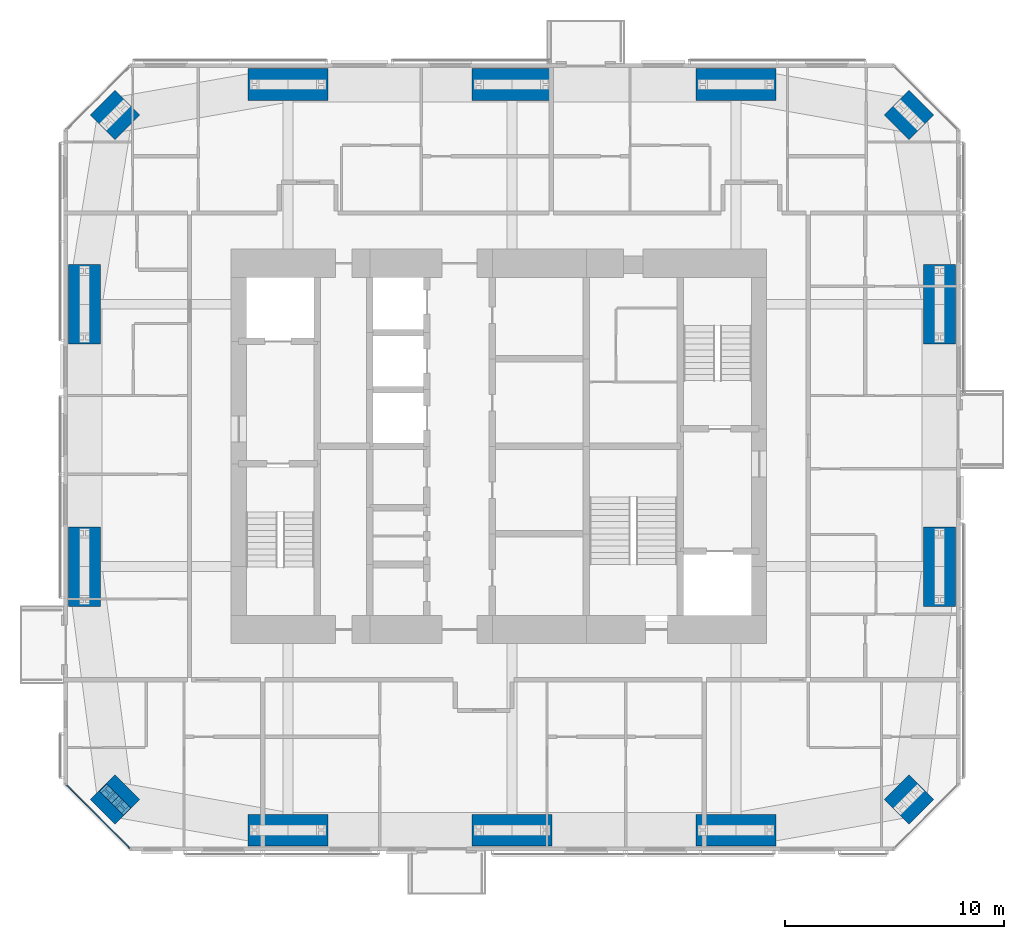
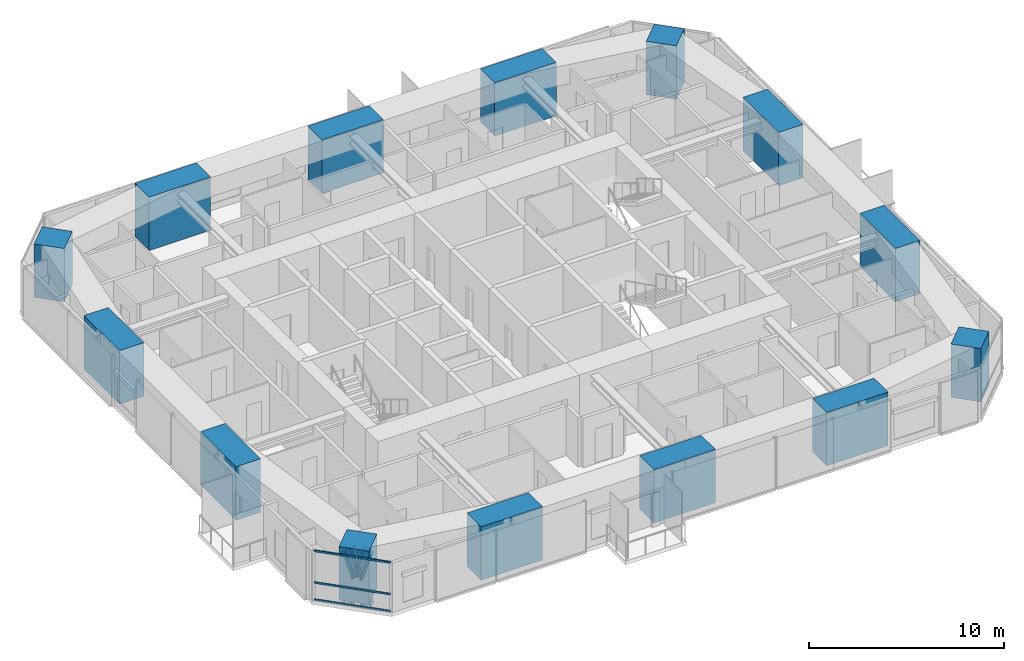
# One storey, part 1 of 23: 14 columns, 7 members, 1 element without a shape of its own.
"""IFC4 building model written with IfcOpenShell, lengths in metres."""

from ifc_helpers import new_model, si_unit, direction, frame, origin, origin_2d, place, context, subcontext, project, spatial, rectangle, i_section, extrude, material, material_profile, profile_set, type_object, element, aggregate, save


model = new_model("IFC4")

# Units and contexts
model_context = context("Model", 3, precision=1e-05, world=origin(), true_north=direction((0.0, 1.0)))
body_context = subcontext(model_context, "Body", "Model", "MODEL_VIEW")
ifc_project = project(units=[si_unit("LENGTHUNIT", "METRE"), si_unit("AREAUNIT", "SQUARE_METRE"), si_unit("VOLUMEUNIT", "CUBIC_METRE"), si_unit("PLANEANGLEUNIT", "RADIAN"), si_unit("MASSUNIT", "GRAM", prefix="KILO")], contexts=[model_context])

# Site, building, storey
site_placement = place(None, origin())
site = spatial("IfcSite", under=ifc_project, at=site_placement, CompositionType="ELEMENT")
building_placement = place(site_placement, origin())
building = spatial("IfcBuilding", under=site, at=building_placement, Name="Jalousie Tower", CompositionType="ELEMENT")
storey_placement = place(building_placement, frame((0.0, 0.0, 197.89990234375)))
storey = spatial("IfcBuildingStorey", under=building, at=storey_placement, Name="L54", CompositionType="ELEMENT", Elevation=197.89990234375)

# Columns
ifc_material_1 = material(Name="Concrete f'c 120 MPa", Category="concrete")
ifc_material_profile_1 = material_profile(ifc_material_1, rectangle(XDim=1.449951171875, YDim=3.64990234375, at=origin_2d()), Name="RC 1450x3650")
ifc_profile_set_1 = profile_set([ifc_material_profile_1], Name="Concrete f'c 120 MPa")
column_type_1 = type_object("IfcColumnType", Name="RC COLUMN 1450x3650", PredefinedType="COLUMN", material=ifc_profile_set_1)
for number, where, z_axis, x_axis, name in (
    (1, (22.25, 0.949951171875, 0.0), (0.0, 0.0, 1.0), (0.0, 1.0, 0.0), "Column 02 L54"),
    (2, (32.5, 0.949951171875, 0.0), (0.0, 0.0, 1.0), (0.0, 1.0, 0.0), "Column 03 L54"),
    (3, (42.75, 0.949951171875, 0.0), (0.0, 0.0, 1.0), (0.0, 1.0, 0.0), "Column 04 L54"),
    (4, (52.050048828125, 13.0, 0.0), (0.0, 0.0, 1.0), (1.0, 0.0, 0.0), "Column 06 L54"),
    (5, (52.050048828125, 25.0, 0.0), (0.0, 0.0, 1.0), (1.0, 0.0, 0.0), "Column 07 L54"),
    (6, (42.75, 35.050048828125, 0.0), (0.0, 0.0, 1.0), (0.0, 1.0, 0.0), "Column 09 L54"),
    (7, (32.5, 35.050048828125, 0.0), (0.0, 0.0, 1.0), (0.0, 1.0, 0.0), "Column 10 L54"),
    (8, (22.25, 35.050048828125, 0.0), (0.0, 0.0, 1.0), (0.0, 1.0, 0.0), "Column 11 L54"),
    (9, (12.949951171875, 25.0, 0.0), (0.0, 0.0, 1.0), (1.0, 0.0, 0.0), "Column 13 L54"),
    (10, (12.949951171875, 13.0, 0.0), (0.0, 0.0, 1.0), (1.0, 0.0, 0.0), "Column 14 L54"),
):
    element("IfcColumn", number, at=place(storey_placement, frame(where, z_axis=z_axis, x_axis=x_axis)), inside=storey, type_object=column_type_1, Name=name, PredefinedType="COLUMN", context=body_context, shape_type="SweptSolid", body=[
        extrude(rectangle(XDim=1.449951171875, YDim=3.64990234375, at=origin_2d()), origin(), (0.0, 0.0, 1.0), 3.35009765625),
    ])
ifc_material_2 = material(Name="Concrete f'c 120 MPa", Category="concrete")
ifc_material_profile_2 = material_profile(ifc_material_2, rectangle(XDim=1.60009765625, YDim=1.60009765625, at=origin_2d()), Name="RC 1600x1600")
ifc_profile_set_2 = profile_set([ifc_material_profile_2], Name="Concrete f'c 120 MPa")
column_type_2 = type_object("IfcColumnType", Name="RC COLUMN 1600x1600", PredefinedType="COLUMN", material=ifc_profile_set_2)
for number, where, z_axis, x_axis, name in (
    (11, (14.348388671875, 2.348388671875, 0.0), (0.0, 0.0, 1.0), (0.707106781187, 0.707106781187, 0.0), "Column 01 L54"),
    (12, (50.651611328125, 2.348388671875, 0.0), (0.0, 0.0, 1.0), (0.707106781187, 0.707106781187, 0.0), "Column 05 L54"),
    (13, (50.651611328125, 33.651611328125, 0.0), (0.0, 0.0, 1.0), (0.707106781187, 0.707106781187, 0.0), "Column 08 L54"),
    (14, (14.348388671875, 33.651611328125, 0.0), (0.0, 0.0, 1.0), (0.707106781187, 0.707106781187, 0.0), "Column 12 L54"),
):
    element("IfcColumn", number, at=place(storey_placement, frame(where, z_axis=z_axis, x_axis=x_axis)), inside=storey, type_object=column_type_2, Name=name, PredefinedType="COLUMN", context=body_context, shape_type="SweptSolid", body=[
        extrude(rectangle(XDim=1.60009765625, YDim=1.60009765625, at=origin_2d()), origin(), (0.0, 0.0, 1.0), 3.35009765625),
    ])

# Curtain wall, members
ifc_material_3 = material(Name="Aluminium curtain wall", Category="aluminium")
curtain_wall_type = type_object("IfcCurtainWallType", Name="CORNER WINDOW WALL", PredefinedType="USERDEFINED", material=ifc_material_3)
curtain_wall_placement = place(storey_placement, origin())
curtain_wall = element("IfcCurtainWall", 15, at=curtain_wall_placement, inside=storey, type_object=curtain_wall_type, Name="Corner Window Wall L54 8", ObjectType="CORNER WINDOW WALL", PredefinedType="USERDEFINED")
ifc_material_4 = material(Name="Aluminium transom", Category="aluminium")
ifc_material_profile_3 = material_profile(ifc_material_4, rectangle(XDim=0.06005859375, YDim=0.1201171875, at=origin_2d()), Name="TRANSOM 60x120")
ifc_profile_set_3 = profile_set([ifc_material_profile_3], Name="Aluminium transom")
member_type_1 = type_object("IfcMemberType", Name="CORNER WINDOW WALL TRANSOM", PredefinedType="USERDEFINED", material=ifc_profile_set_3)
member_1_placement = place(storey_placement, frame((12.1298828125, 3.0087890625, 0.030029296875), z_axis=(0.707106781187, -0.707106781187, 0.0), x_axis=(0.707106781187, 0.707106781187, 0.0)))
member_1 = element("IfcMember", 16, at=member_1_placement, type_object=member_type_1, Name="CW-C transom 1.1", ObjectType="TRANSOM", PredefinedType="USERDEFINED", context=body_context, shape_type="SweptSolid", body=[
    extrude(rectangle(XDim=0.06005859375, YDim=0.1201171875, at=origin_2d()), origin(), (0.0, 0.0, 1.0), 4.0712890625),
])
member_2_placement = place(storey_placement, frame((12.1298828125, 3.0087890625, 1.10009765625), z_axis=(0.707106781187, -0.707106781187, 0.0), x_axis=(0.707106781187, 0.707106781187, 0.0)))
member_2 = element("IfcMember", 17, at=member_2_placement, type_object=member_type_1, Name="CW-C transom 1.2", ObjectType="TRANSOM", PredefinedType="USERDEFINED", context=body_context, shape_type="SweptSolid", body=[
    extrude(rectangle(XDim=0.06005859375, YDim=0.1201171875, at=origin_2d()), origin(), (0.0, 0.0, 1.0), 4.0712890625),
])
member_3_placement = place(storey_placement, frame((12.1298828125, 3.0087890625, 3.080078125), z_axis=(0.707106781187, -0.707106781187, 0.0), x_axis=(0.707106781187, 0.707106781187, 0.0)))
member_3 = element("IfcMember", 18, at=member_3_placement, type_object=member_type_1, Name="CW-C transom 1.3", ObjectType="TRANSOM", PredefinedType="USERDEFINED", context=body_context, shape_type="SweptSolid", body=[
    extrude(rectangle(XDim=0.06005859375, YDim=0.1201171875, at=origin_2d()), origin(), (0.0, 0.0, 1.0), 4.0712890625),
])
aggregate(curtain_wall, [member_1, member_2, member_3])

# Members
ifc_material_5 = material(Name="Steel ASTM A992 Grade 50", Category="steel")
ifc_material_profile_4 = material_profile(ifc_material_5, i_section(OverallWidth=0.472412109375, OverallDepth=0.5791015625, WebThickness=0.094970703125, FlangeThickness=0.1298828125, at=origin_2d()), Name="W14X808")
ifc_profile_set_4 = profile_set([ifc_material_profile_4], Name="Steel ASTM A992 Grade 50")
member_type_2 = type_object("IfcMemberType", Name="PERIMETER BRACE W14X808", PredefinedType="BRACE", material=ifc_profile_set_4)
member_4_placement = place(storey_placement, frame((13.9951171875, 2.7021484375, -0.599853515625), z_axis=(0.202092742837, -0.202372069365, 0.958229653493), x_axis=(0.707594945859, 0.706618279267, 0.0)))
element("IfcMember", 19, at=member_4_placement, inside=storey, type_object=member_type_2, Name="Perimeter brace 01 L54 part 1", PredefinedType="BRACE", context=body_context, shape_type="SweptSolid", body=[
    extrude(i_section(OverallWidth=0.472412109375, OverallDepth=0.5791015625, WebThickness=0.094970703125, FlangeThickness=0.1298828125, at=origin_2d()), origin(), (0.0, 0.0, 1.0), 1.748046875),
])
member_5_placement = place(storey_placement, frame((14.348388671875, 2.348388671875, 1.0751953125), z_axis=(0.202399156177, -0.202119792263, 0.958218227313), x_axis=(0.706618279267, 0.707594945859, 0.0)))
element("IfcMember", 20, at=member_5_placement, inside=storey, type_object=member_type_2, Name="Perimeter brace 01 L54 part 2", PredefinedType="BRACE", context=body_context, shape_type="SweptSolid", body=[
    extrude(i_section(OverallWidth=0.472412109375, OverallDepth=0.5791015625, WebThickness=0.094970703125, FlangeThickness=0.1298828125, at=origin_2d()), origin(), (0.0, 0.0, 1.0), 1.747802734375),
])
member_6_placement = place(storey_placement, frame((14.7021484375, 1.9951171875, -0.599853515625), z_axis=(-0.202372069365, 0.202092742837, 0.958229653493), x_axis=(-0.706618279267, -0.707594945859, 0.0)))
element("IfcMember", 21, at=member_6_placement, inside=storey, type_object=member_type_2, Name="Perimeter brace 01 L54 part 3", PredefinedType="BRACE", context=body_context, shape_type="SweptSolid", body=[
    extrude(i_section(OverallWidth=0.472412109375, OverallDepth=0.5791015625, WebThickness=0.094970703125, FlangeThickness=0.1298828125, at=origin_2d()), origin(), (0.0, 0.0, 1.0), 1.748046875),
])
member_7_placement = place(storey_placement, frame((14.348388671875, 2.348388671875, 1.0751953125), z_axis=(-0.202119792263, 0.202399156177, 0.958218227313), x_axis=(-0.707594945859, -0.706618279267, 0.0)))
element("IfcMember", 22, at=member_7_placement, inside=storey, type_object=member_type_2, Name="Perimeter brace 01 L54 part 4", PredefinedType="BRACE", context=body_context, shape_type="SweptSolid", body=[
    extrude(i_section(OverallWidth=0.472412109375, OverallDepth=0.5791015625, WebThickness=0.094970703125, FlangeThickness=0.1298828125, at=origin_2d()), origin(), (0.0, 0.0, 1.0), 1.747802734375),
])

save(model, "model.ifc")
